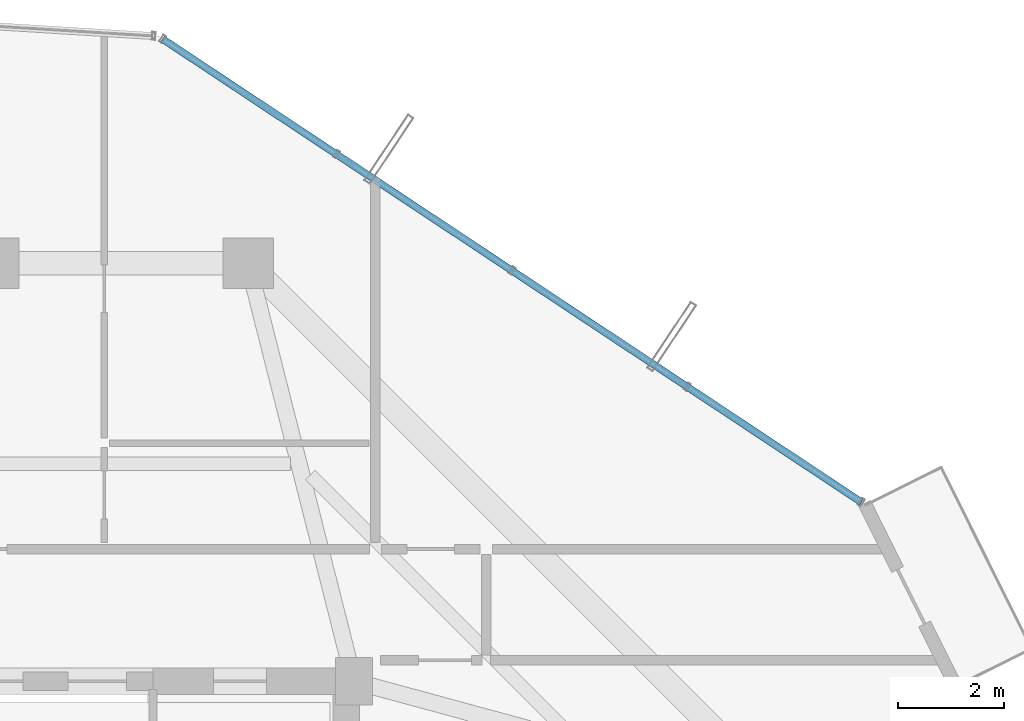
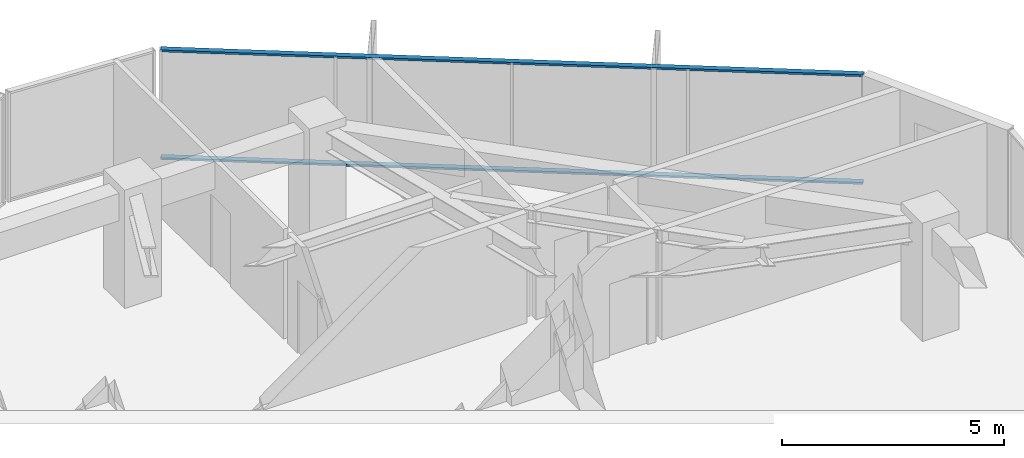
# One storey, part 22 of 29: 2 members, 1 element without a shape of its own.
"""IFC4 building model written with IfcOpenShell, lengths in metres."""

from ifc_helpers import new_model, si_unit, direction, frame, origin, origin_2d, place, context, subcontext, project, spatial, hollow_rectangle, extrude, source, transform, mapped, material, layer, layer_set, material_profile, profile_set, type_object, element, aggregate, save


model = new_model("IFC4")

# Units and contexts
model_context = context("Model", 3, precision=1e-05, world=origin(), true_north=direction((0.0, 1.0)))
body_context = subcontext(model_context, "Body", "Model", "MODEL_VIEW")
ifc_project = project(units=[si_unit("LENGTHUNIT", "METRE"), si_unit("AREAUNIT", "SQUARE_METRE"), si_unit("VOLUMEUNIT", "CUBIC_METRE"), si_unit("PLANEANGLEUNIT", "RADIAN"), si_unit("MASSUNIT", "GRAM", prefix="KILO")], contexts=[model_context])

# Site, building, storey
site_placement = place(None, origin())
site = spatial("IfcSite", under=ifc_project, at=site_placement, CompositionType="ELEMENT")
building_placement = place(site_placement, origin())
building = spatial("IfcBuilding", under=site, at=building_placement, Name="Veraguas Prism Commons", CompositionType="ELEMENT")
storey_placement = place(building_placement, frame((0.0, 0.0, 218.89990234375)))
storey = spatial("IfcBuildingStorey", under=building, at=storey_placement, Name="L62", CompositionType="ELEMENT", Elevation=218.89990234375)

# Curtain wall, members
ifc_material = material(Name="Anodised aluminium EN AW-6063 T6", Category="aluminium")
ifc_layer = layer(ifc_material, 0.14990234375, Name="Unitised Flush Curtain Wall Zone 3", Category="aluminium")
ifc_layer_set = layer_set([ifc_layer], Name="Anodised aluminium EN AW-6063 T6")
curtain_wall_type = type_object("IfcCurtainWallType", Name="Unitised Flush Curtain Wall Zone 3", PredefinedType="NOTDEFINED", material=ifc_layer_set)
curtain_wall_placement = place(storey_placement, origin())
curtain_wall = element("IfcCurtainWall", 1, at=curtain_wall_placement, inside=storey, type_object=curtain_wall_type, Name="Tower Facade Curtain Wall L62-F1", PredefinedType="NOTDEFINED")
ifc_material_profile = material_profile(ifc_material, hollow_rectangle(XDim=0.054931640625, YDim=0.135009765625, WallThickness=0.0029296875, at=origin_2d()), Name="AL55X135X3")
ifc_profile_set = profile_set([ifc_material_profile], Name="Anodised aluminium EN AW-6063 T6")
member_type = type_object("IfcMemberType", Name="Curtain Wall Transom Standard AL 55x135x3", PredefinedType="USERDEFINED", material=ifc_profile_set)
shared_shape = source(origin(), body_context, "Body", "SweptSolid", [
    extrude(hollow_rectangle(XDim=0.054931640625, YDim=0.135009765625, WallThickness=0.0029296875, at=origin_2d()), origin(), (0.0, 0.0, 1.0), 15.842529296875),
])
member_1_placement = place(storey_placement, frame((40.3876953125, 34.384765625, 0.027587890625), z_axis=(-0.833505486353, 0.552511180176, 0.0), x_axis=(0.0, 0.0, 1.0)))
member_1 = element("IfcMember", 2, at=member_1_placement, type_object=member_type, Name="CW-Z3 Transom 1", ObjectType="TRANSOM", PredefinedType="USERDEFINED", context=body_context, shape_type="MappedRepresentation", body=[
    mapped(shared_shape, transform((0.0, 0.0, 0.0), scale=1.0)),
])
member_2_placement = place(storey_placement, frame((40.3876953125, 34.384765625, 2.987548828125), z_axis=(-0.833505486353, 0.552511180176, 0.0), x_axis=(0.0, 0.0, 1.0)))
member_2 = element("IfcMember", 3, at=member_2_placement, type_object=member_type, Name="CW-Z3 Transom 2", ObjectType="TRANSOM", PredefinedType="USERDEFINED", context=body_context, shape_type="MappedRepresentation", body=[
    mapped(shared_shape, transform((0.0, 0.0, 0.0), scale=1.0)),
])
aggregate(curtain_wall, [member_1, member_2])

save(model, "model.ifc")
